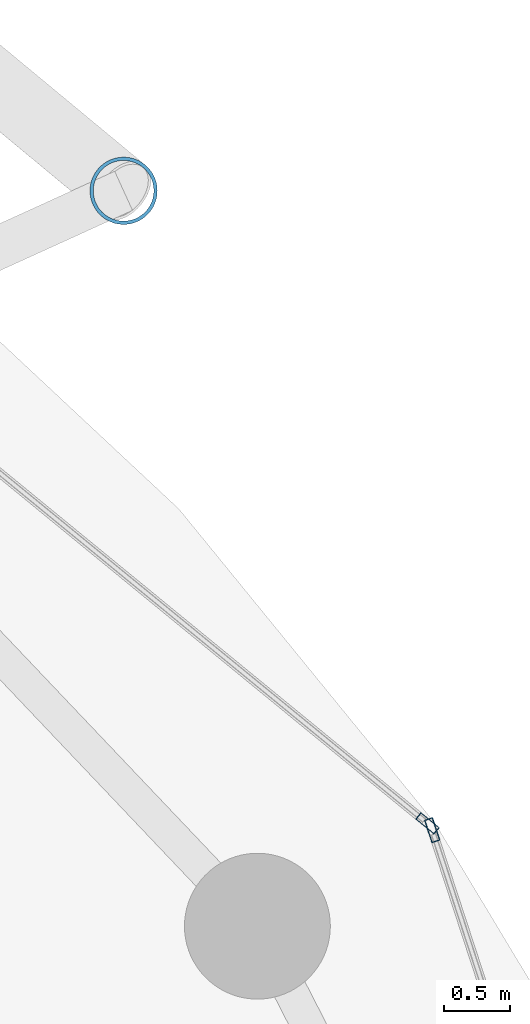
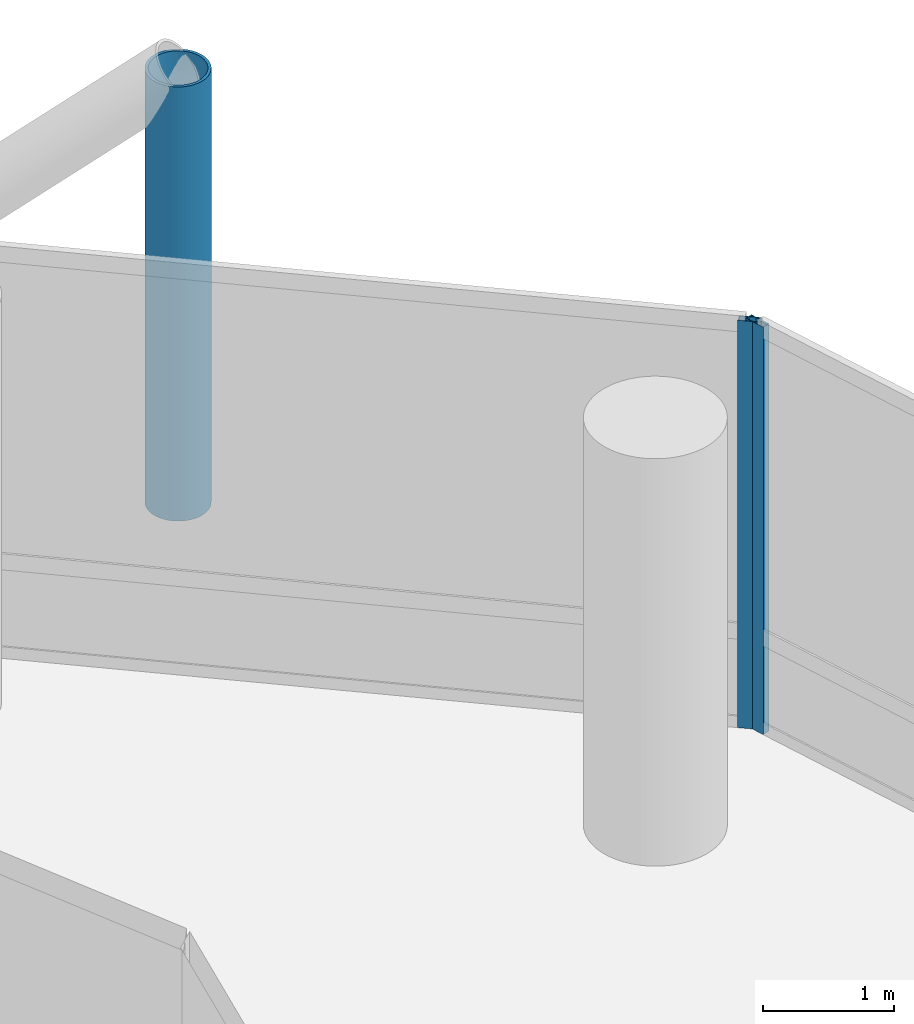
# One storey, part 19 of 24: 3 members, 2 elements without a shape of their own.
"""IFC4 building model written with IfcOpenShell, lengths in metres."""

from ifc_helpers import new_model, si_unit, direction, frame, origin, origin_2d, place, context, subcontext, project, spatial, hollow_rectangle, hollow_circle, extrude, material, layer, layer_set, material_profile, profile_set, type_object, element, aggregate, save


model = new_model("IFC4")

# Units and contexts
model_context = context("Model", 3, precision=1e-05, world=origin(), true_north=direction((0.0, 1.0)))
body_context = subcontext(model_context, "Body", "Model", "MODEL_VIEW")
ifc_project = project(units=[si_unit("LENGTHUNIT", "METRE"), si_unit("AREAUNIT", "SQUARE_METRE"), si_unit("VOLUMEUNIT", "CUBIC_METRE"), si_unit("PLANEANGLEUNIT", "RADIAN"), si_unit("MASSUNIT", "GRAM", prefix="KILO")], contexts=[model_context])

# Site, building, storey
site_placement = place(None, origin())
site = spatial("IfcSite", under=ifc_project, at=site_placement, CompositionType="ELEMENT")
building_placement = place(site_placement, origin())
building = spatial("IfcBuilding", under=site, at=building_placement, Name="Nuhasar Tower", CompositionType="ELEMENT")
storey_placement = place(building_placement, frame((0.0, 0.0, 69.60009765625)))
storey = spatial("IfcBuildingStorey", under=building, at=storey_placement, Name="L16", CompositionType="ELEMENT", Elevation=69.60009765625)

# Curtain wall, member
ifc_material_1 = material(Name="Aluminium 6063-T6", Category="aluminium")
ifc_layer = layer(ifc_material_1, 0.199951171875)
ifc_layer_set = layer_set([ifc_layer], Name="Aluminium 6063-T6")
curtain_wall_type = type_object("IfcCurtainWallType", Name="CW-Z1-OFF", PredefinedType="NOTDEFINED", material=ifc_layer_set)
curtain_wall_1_placement = place(storey_placement, origin())
curtain_wall_1 = element("IfcCurtainWall", 1, at=curtain_wall_1_placement, inside=storey, type_object=curtain_wall_type, Name="L16 Unitised Curtain Wall 01", PredefinedType="NOTDEFINED")
ifc_material_profile_1 = material_profile(ifc_material_1, hollow_rectangle(XDim=0.06494140625, YDim=0.179931640625, WallThickness=0.0048828125, at=origin_2d()), Name="CWM-2")
ifc_profile_set_1 = profile_set([ifc_material_profile_1], Name="Aluminium 6063-T6")
member_type_1 = type_object("IfcMemberType", Name="CW-MUL-S2", PredefinedType="MULLION", material=ifc_profile_set_1)
member_1_placement = place(storey_placement, frame((62.01220703125, 37.649169921875, 0.0), z_axis=(0.0, 0.0, 1.0), x_axis=(-0.950467534571, -0.310823849997, 0.0)))
member_1 = element("IfcMember", 2, at=member_1_placement, type_object=member_type_1, Name="CW-Z1 mullion 2", PredefinedType="MULLION", context=body_context, shape_type="SweptSolid", body=[
    extrude(hollow_rectangle(XDim=0.06494140625, YDim=0.179931640625, WallThickness=0.0048828125, at=origin_2d()), origin(), (0.0, 0.0, 1.0), 3.7998046875),
])
aggregate(curtain_wall_1, [member_1])

curtain_wall_2_placement = place(storey_placement, origin())
curtain_wall_2 = element("IfcCurtainWall", 3, at=curtain_wall_2_placement, inside=storey, type_object=curtain_wall_type, Name="L16 Unitised Curtain Wall 02", PredefinedType="NOTDEFINED")
member_2_placement = place(storey_placement, frame((61.976806640625, 37.70068359375, 0.0), z_axis=(0.0, 0.0, 1.0), x_axis=(-0.633744593376, -0.773542364946, 0.0)))
member_2 = element("IfcMember", 4, at=member_2_placement, type_object=member_type_1, Name="CW-Z1 mullion 1", PredefinedType="MULLION", context=body_context, shape_type="SweptSolid", body=[
    extrude(hollow_rectangle(XDim=0.06494140625, YDim=0.179931640625, WallThickness=0.0048828125, at=origin_2d()), origin(), (0.0, 0.0, 1.0), 3.7998046875),
])
aggregate(curtain_wall_2, [member_2])

# Member
ifc_material_2 = material(Name="Steel S460", Category="steel")
ifc_material_profile_2 = material_profile(ifc_material_2, hollow_circle(Radius=0.25390625, WallThickness=0.025390625, at=origin_2d()), Name="HSS508X25.4")
ifc_profile_set_2 = profile_set([ifc_material_profile_2], Name="Steel S460")
member_type_2 = type_object("IfcMemberType", Name="EXO-BRONZE-508", PredefinedType="BRACE", material=ifc_profile_set_2)
member_3_placement = place(storey_placement, frame((59.68505859375, 42.470947265625, 0.0), z_axis=(0.0, 0.0, 1.0), x_axis=(1.0, 0.0, 0.0)))
element("IfcMember", 5, at=member_3_placement, inside=storey, type_object=member_type_2, Name="L16 Exoskeleton Chord Column EC-02A", PredefinedType="BRACE", context=body_context, shape_type="SweptSolid", body=[
    extrude(hollow_circle(Radius=0.25390625, WallThickness=0.025390625, at=origin_2d()), origin(), (0.0, 0.0, 1.0), 4.0498046875),
])

save(model, "model.ifc")
